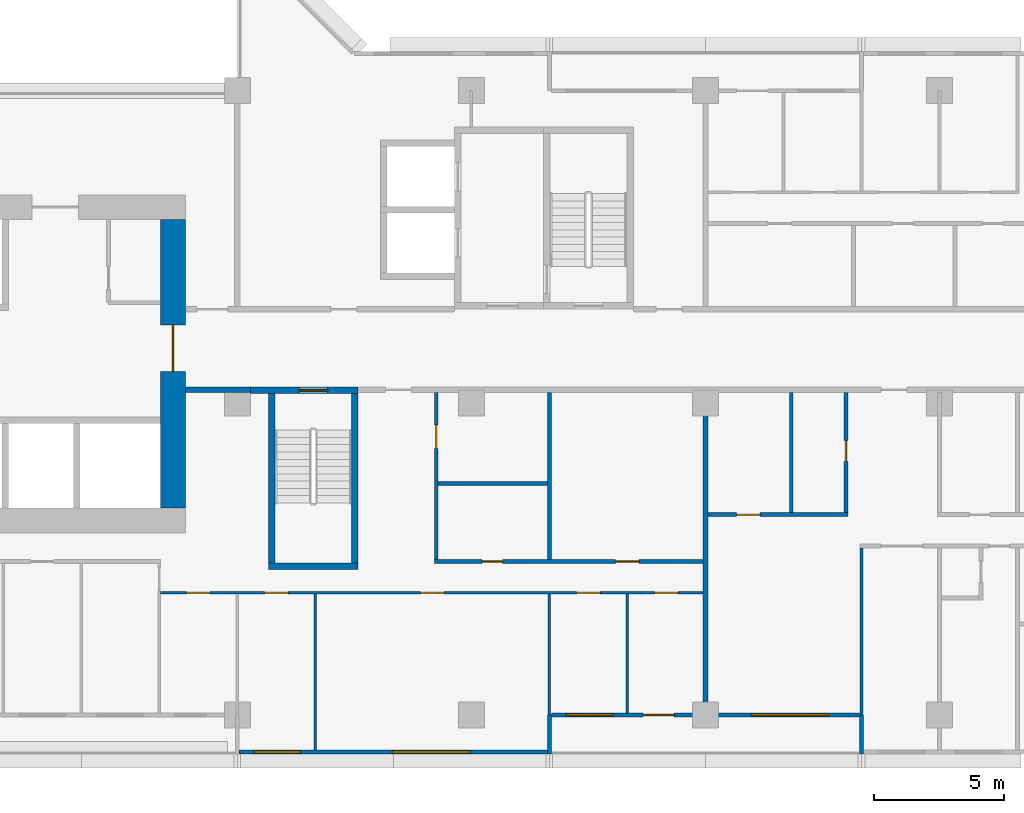
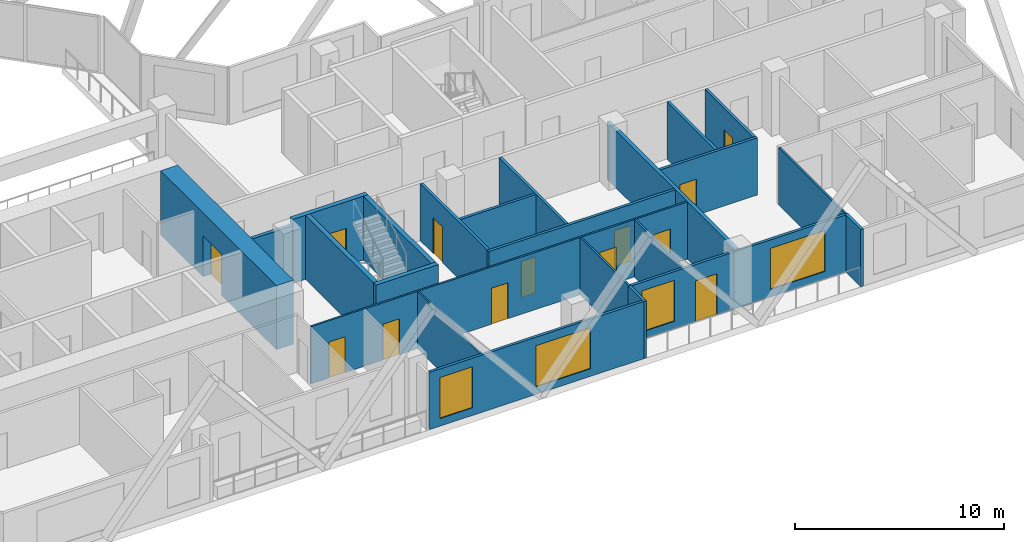
# One storey, part 6 of 15: 23 walls, 13 doors, 4 windows, 17 openings.
"""IFC4 building model written with IfcOpenShell, lengths in metres."""

from ifc_helpers import new_model, si_unit, direction, frame, frame_2d, origin, place, context, subcontext, project, spatial, rectangle, extrude, material, layer, layer_set, type_object, element, fill, save


model = new_model("IFC4")

# Units and contexts
model_context = context("Model", 3, precision=1e-05, world=origin(), true_north=direction((0.0, 1.0)))
body_context = subcontext(model_context, "Body", "Model", "MODEL_VIEW")
ifc_project = project(units=[si_unit("LENGTHUNIT", "METRE"), si_unit("AREAUNIT", "SQUARE_METRE"), si_unit("VOLUMEUNIT", "CUBIC_METRE"), si_unit("PLANEANGLEUNIT", "RADIAN"), si_unit("MASSUNIT", "GRAM", prefix="KILO")], contexts=[model_context])

# Site, building, storey
site_placement = place(None, origin())
site = spatial("IfcSite", under=ifc_project, at=site_placement, CompositionType="ELEMENT")
building_placement = place(site_placement, origin())
building = spatial("IfcBuilding", under=site, at=building_placement, Name="Chenar Terraces", CompositionType="ELEMENT")
storey_placement = place(building_placement, frame((0.0, 0.0, 121.89990234375)))
storey = spatial("IfcBuildingStorey", under=building, at=storey_placement, Name="L28", CompositionType="ELEMENT", Elevation=121.89990234375)

# Wall
ifc_material_1 = material(Name="Concrete C70/85", Category="concrete")
ifc_layer_1 = layer(ifc_material_1, 0.25)
ifc_layer_set_1 = layer_set([ifc_layer_1], Name="Concrete C70/85")
wall_type_1 = type_object("IfcWallType", Name="Core wall 250 Concrete C70/85", PredefinedType="SHEAR", material=ifc_layer_set_1)
wall_1_placement = place(storey_placement, frame((37.199951171875, 5.72509765625, 0.0), z_axis=(0.0, 0.0, 1.0), x_axis=(1.0, 0.0, 0.0)))
element("IfcWall", 1, at=wall_1_placement, inside=storey, type_object=wall_type_1, Name="Core wall ST2_S L28", PredefinedType="SHEAR", context=body_context, shape_type="SweptSolid", body=[
    extrude(rectangle(XDim=3.449951171875, YDim=0.25, at=frame_2d((1.72509765625, 0.0))), origin(), (0.0, 0.0, 1.0), 3.75),
])

# Wall, opening, door
wall_2_placement = place(storey_placement, frame((36.5, 12.47509765625, 0.0), z_axis=(0.0, 0.0, 1.0), x_axis=(1.0, 0.0, 0.0)))
wall_2 = element("IfcWall", 2, at=wall_2_placement, inside=storey, type_object=wall_type_1, Name="Core wall ST2_N L28", PredefinedType="SHEAR", context=body_context, shape_type="SweptSolid", body=[
    extrude(rectangle(XDim=4.14990234375, YDim=0.25, at=frame_2d((2.074951171875, 0.0))), origin(), (0.0, 0.0, 1.0), 3.75),
])
opening_1_placement = place(wall_2_placement, frame((1.875, 0.0, 0.0)))
opening_1 = element("IfcOpeningElement", 3, at=opening_1_placement, cuts=wall_2, Name="Opening DL28-C7", PredefinedType="OPENING", context=body_context, shape_type="SweptSolid", body=[
    extrude(rectangle(XDim=1.10009765625, YDim=2.199951171875, at=frame_2d((0.550048828125, 1.10009765625))), frame((0.0, 0.135009765625, 0.0), z_axis=(0.0, -1.0, 0.0), x_axis=(1.0, 0.0, 0.0)), (0.0, 0.0, 1.0), 0.27001953125),
])
ifc_material_2 = material(Name="Steel-framed fire-resisting door leaf", Category="steel")
door_type_1 = type_object("IfcDoorType", Name="Stair fire door FD60 1100 x 2200", OperationType="SINGLE_SWING_LEFT", PredefinedType="DOOR", material=ifc_material_2)
door_1_placement = place(opening_1_placement, frame((1.10009765625, 0.0, 0.0), z_axis=(0.0, 0.0, 1.0), x_axis=(-1.0, 0.0, 0.0)))
door_1 = element("IfcDoor", 4, at=door_1_placement, inside=storey, type_object=door_type_1, Name="Stair door DL28-C7", OperationType="SINGLE_SWING_RIGHT", OverallHeight=2.199951171875, OverallWidth=1.10009765625, PredefinedType="DOOR", context=body_context, shape_type="SweptSolid", body=[
    extrude(rectangle(XDim=1.10009765625, YDim=2.199951171875, at=frame_2d((0.550048828125, 1.10009765625))), frame((0.0, 0.02490234375, 0.0), z_axis=(0.0, -1.0, 0.0), x_axis=(1.0, 0.0, 0.0)), (0.0, 0.0, 1.0), 0.050048828125),
])
fill(opening_1, door_1)

# Walls
for number, where, z_axis, x_axis, name in (
    (5, (37.324951171875, 5.85009765625, 0.0), (0.0, 0.0, 1.0), (0.0, 1.0, 0.0), "Core wall ST2_W L28"),
    (6, (40.52490234375, 5.85009765625, 0.0), (0.0, 0.0, 1.0), (0.0, 1.0, 0.0), "Core wall ST2_E L28"),
):
    element("IfcWall", number, at=place(storey_placement, frame(where, z_axis=z_axis, x_axis=x_axis)), inside=storey, type_object=wall_type_1, Name=name, PredefinedType="SHEAR", context=body_context, shape_type="SweptSolid", body=[
        extrude(rectangle(XDim=6.5, YDim=0.25, at=frame_2d((3.25, 0.0))), origin(), (0.0, 0.0, 1.0), 3.75),
    ])

# Wall, opening, door
ifc_material_3 = material(Name="Concrete C70/85", Category="concrete")
ifc_layer_2 = layer(ifc_material_3, 0.949951171875)
ifc_layer_set_2 = layer_set([ifc_layer_2], Name="Concrete C70/85")
wall_type_2 = type_object("IfcWallType", Name="Core wall 950 Concrete C70/85", PredefinedType="SHEAR", material=ifc_layer_set_2)
wall_3_placement = place(storey_placement, frame((33.52490234375, 7.949951171875, 0.0), z_axis=(0.0, 0.0, 1.0), x_axis=(0.0, 1.0, 0.0)))
wall_3 = element("IfcWall", 7, at=wall_3_placement, inside=storey, type_object=wall_type_2, Name="Core wall E L28", PredefinedType="SHEAR", context=body_context, shape_type="SweptSolid", body=[
    extrude(rectangle(XDim=11.10009765625, YDim=0.949951171875, at=frame_2d((5.550048828125, 0.0))), origin(), (0.0, 0.0, 1.0), 3.75),
])
opening_2_placement = place(wall_3_placement, frame((5.25, 0.0, 0.0)))
opening_2 = element("IfcOpeningElement", 8, at=opening_2_placement, cuts=wall_3, Name="Opening DL28-C1", PredefinedType="OPENING", context=body_context, shape_type="SweptSolid", body=[
    extrude(rectangle(XDim=1.800048828125, YDim=2.39990234375, at=frame_2d((0.89990234375, 1.199951171875))), frame((0.0, 0.48486328125, 0.0), z_axis=(0.0, -1.0, 0.0), x_axis=(1.0, 0.0, 0.0)), (0.0, 0.0, 1.0), 0.969970703125),
])
ifc_material_4 = material(Name="Steel-framed fire-resisting door leaf", Category="steel")
door_type_2 = type_object("IfcDoorType", Name="Core entrance double fire door FD60 1800 x 2400", OperationType="DOUBLE_DOOR_SINGLE_SWING", PredefinedType="DOOR", material=ifc_material_4)
door_2_placement = place(opening_2_placement, origin())
door_2 = element("IfcDoor", 9, at=door_2_placement, inside=storey, type_object=door_type_2, Name="Core door DL28-C1", OperationType="DOUBLE_DOOR_SINGLE_SWING", OverallHeight=2.39990234375, OverallWidth=1.800048828125, PredefinedType="DOOR", context=body_context, shape_type="SweptSolid", body=[
    extrude(rectangle(XDim=1.800048828125, YDim=2.39990234375, at=frame_2d((0.89990234375, 1.199951171875))), frame((0.0, 0.02490234375, 0.0), z_axis=(0.0, -1.0, 0.0), x_axis=(1.0, 0.0, 0.0)), (0.0, 0.0, 1.0), 0.050048828125),
])
fill(opening_2, door_2)

# Wall
ifc_material_5 = material(Name="Gypsum board on steel studs with fire boards", Category="steel")
ifc_layer_3 = layer(ifc_material_5, 0.199951171875)
ifc_layer_set_3 = layer_set([ifc_layer_3], Name="Gypsum board on steel studs with fire boards")
wall_type_3 = type_object("IfcWallType", Name="Corridor wall 200", PredefinedType="PARTITIONING", material=ifc_layer_set_3)
wall_4_placement = place(storey_placement, frame((34.0, 12.5, 0.0), z_axis=(0.0, 0.0, 1.0), x_axis=(1.0, 0.0, 0.0)))
element("IfcWall", 10, at=wall_4_placement, inside=storey, type_object=wall_type_3, Name="Partition L28-063", PredefinedType="PARTITIONING", context=body_context, shape_type="SweptSolid", body=[
    extrude(rectangle(XDim=2.5009765625, YDim=0.199951171875, at=frame_2d((1.25048828125, 0.0))), origin(), (0.0, 0.0, 1.0), 3.35009765625),
])

# Wall, openings, windows
ifc_material_6 = material(Name="Aluminium framed glazing", Category="aluminium")
ifc_layer_4 = layer(ifc_material_6, 0.14990234375)
ifc_layer_set_4 = layer_set([ifc_layer_4], Name="Aluminium framed glazing")
wall_type_4 = type_object("IfcWallType", Name="Glazed flush facade wall 150", PredefinedType="SOLIDWALL", material=ifc_layer_set_4)
wall_5_placement = place(storey_placement, frame((36.074951171875, -1.425048828125, 0.0), z_axis=(0.0, 0.0, 1.0), x_axis=(1.0, 0.0, 0.0)))
wall_5 = element("IfcWall", 11, at=wall_5_placement, inside=storey, type_object=wall_type_4, Name="Glazed flush facade wall", PredefinedType="SOLIDWALL", context=body_context, shape_type="SweptSolid", body=[
    extrude(rectangle(XDim=11.85009765625, YDim=0.14990234375, at=frame_2d((5.925048828125, 0.0))), origin(), (0.0, 0.0, 1.0), 3.35009765625),
])
opening_3_placement = place(wall_5_placement, frame((0.5625, 0.0, 0.449951171875)))
opening_3 = element("IfcOpeningElement", 12, at=opening_3_placement, cuts=wall_5, Name="Opening W180x240", PredefinedType="OPENING", context=body_context, shape_type="SweptSolid", body=[
    extrude(rectangle(XDim=1.800048828125, YDim=2.39990234375, at=frame_2d((0.89990234375, 1.199951171875))), frame((0.0, 0.0849609375, 0.0), z_axis=(0.0, -1.0, 0.0), x_axis=(1.0, 0.0, 0.0)), (0.0, 0.0, 1.0), 0.169921875),
])
opening_4_placement = place(wall_5_placement, frame((5.887451171875, 0.0, 0.449951171875)))
opening_4 = element("IfcOpeningElement", 13, at=opening_4_placement, cuts=wall_5, Name="Opening W300x240", PredefinedType="OPENING", context=body_context, shape_type="SweptSolid", body=[
    extrude(rectangle(XDim=3.0, YDim=2.39990234375, at=frame_2d((1.5, 1.199951171875))), frame((0.0, 0.0849609375, 0.0), z_axis=(0.0, -1.0, 0.0), x_axis=(1.0, 0.0, 0.0)), (0.0, 0.0, 1.0), 0.169921875),
])
ifc_material_7 = material(Name="Low emissivity double glazing, aluminium frame", Category="aluminium")
window_type_1 = type_object("IfcWindowType", Name="Fixed light 1800 x 2400", PartitioningType="SINGLE_PANEL", PredefinedType="WINDOW", material=ifc_material_7)
window_1_placement = place(opening_3_placement, origin())
window_1 = element("IfcWindow", 14, at=window_1_placement, inside=storey, type_object=window_type_1, Name="Window", OverallHeight=2.39990234375, OverallWidth=1.800048828125, PartitioningType="SINGLE_PANEL", PredefinedType="WINDOW", context=body_context, shape_type="SweptSolid", body=[
    extrude(rectangle(XDim=1.800048828125, YDim=2.39990234375, at=frame_2d((0.89990234375, 1.199951171875))), frame((0.0, 0.030029296875, 0.0), z_axis=(0.0, -1.0, 0.0), x_axis=(1.0, 0.0, 0.0)), (0.0, 0.0, 1.0), 0.06005859375),
])
fill(opening_3, window_1)
ifc_material_8 = material(Name="Low emissivity double glazing, aluminium frame", Category="aluminium")
window_type_2 = type_object("IfcWindowType", Name="Fixed light 3000 x 2400", PartitioningType="SINGLE_PANEL", PredefinedType="WINDOW", material=ifc_material_8)
window_2_placement = place(opening_4_placement, origin())
window_2 = element("IfcWindow", 15, at=window_2_placement, inside=storey, type_object=window_type_2, Name="Window", OverallHeight=2.39990234375, OverallWidth=3.0, PartitioningType="SINGLE_PANEL", PredefinedType="WINDOW", context=body_context, shape_type="SweptSolid", body=[
    extrude(rectangle(XDim=3.0, YDim=2.39990234375, at=frame_2d((1.5, 1.199951171875))), frame((0.0, 0.030029296875, 0.0), z_axis=(0.0, -1.0, 0.0), x_axis=(1.0, 0.0, 0.0)), (0.0, 0.0, 1.0), 0.06005859375),
])
fill(opening_4, window_2)

# Wall, openings, windows, door
ifc_material_9 = material(Name="Aluminium framed glazing", Category="aluminium")
ifc_layer_5 = layer(ifc_material_9, 0.14990234375)
ifc_layer_set_5 = layer_set([ifc_layer_5], Name="Aluminium framed glazing")
wall_type_5 = type_object("IfcWallType", Name="Glazed loggia back wall 150", PredefinedType="SOLIDWALL", material=ifc_layer_set_5)
wall_6_placement = place(storey_placement, frame((48.074951171875, 0.0, 0.0), z_axis=(0.0, 0.0, 1.0), x_axis=(1.0, 0.0, 0.0)))
wall_6 = element("IfcWall", 16, at=wall_6_placement, inside=storey, type_object=wall_type_5, Name="Glazed loggia back wall", PredefinedType="SOLIDWALL", context=body_context, shape_type="SweptSolid", body=[
    extrude(rectangle(XDim=11.85009765625, YDim=0.14990234375, at=frame_2d((5.925048828125, 0.0))), origin(), (0.0, 0.0, 1.0), 3.35009765625),
])
opening_5_placement = place(wall_6_placement, frame((0.5625, 0.0, 0.449951171875)))
opening_5 = element("IfcOpeningElement", 17, at=opening_5_placement, cuts=wall_6, Name="Opening W180x240", PredefinedType="OPENING", context=body_context, shape_type="SweptSolid", body=[
    extrude(rectangle(XDim=1.800048828125, YDim=2.39990234375, at=frame_2d((0.89990234375, 1.199951171875))), frame((0.0, 0.0849609375, 0.0), z_axis=(0.0, -1.0, 0.0), x_axis=(1.0, 0.0, 0.0)), (0.0, 0.0, 1.0), 0.169921875),
])
opening_6_placement = place(wall_6_placement, frame((3.52490234375, 0.0, 0.0)))
opening_6 = element("IfcOpeningElement", 18, at=opening_6_placement, cuts=wall_6, Name="Opening DL28-G7", PredefinedType="OPENING", context=body_context, shape_type="SweptSolid", body=[
    extrude(rectangle(XDim=1.199951171875, YDim=2.39990234375, at=frame_2d((0.60009765625, 1.199951171875))), frame((0.0, 0.0849609375, 0.0), z_axis=(0.0, -1.0, 0.0), x_axis=(1.0, 0.0, 0.0)), (0.0, 0.0, 1.0), 0.169921875),
])
opening_7_placement = place(wall_6_placement, frame((7.6875, 0.0, 0.449951171875)))
opening_7 = element("IfcOpeningElement", 19, at=opening_7_placement, cuts=wall_6, Name="Opening W300x240", PredefinedType="OPENING", context=body_context, shape_type="SweptSolid", body=[
    extrude(rectangle(XDim=3.0, YDim=2.39990234375, at=frame_2d((1.5, 1.199951171875))), frame((0.0, 0.0849609375, 0.0), z_axis=(0.0, -1.0, 0.0), x_axis=(1.0, 0.0, 0.0)), (0.0, 0.0, 1.0), 0.169921875),
])
window_3_placement = place(opening_5_placement, origin())
window_3 = element("IfcWindow", 20, at=window_3_placement, inside=storey, type_object=window_type_1, Name="Window", OverallHeight=2.39990234375, OverallWidth=1.800048828125, PartitioningType="SINGLE_PANEL", PredefinedType="WINDOW", context=body_context, shape_type="SweptSolid", body=[
    extrude(rectangle(XDim=1.800048828125, YDim=2.39990234375, at=frame_2d((0.89990234375, 1.199951171875))), frame((0.0, 0.030029296875, 0.0), z_axis=(0.0, -1.0, 0.0), x_axis=(1.0, 0.0, 0.0)), (0.0, 0.0, 1.0), 0.06005859375),
])
fill(opening_5, window_3)
window_4_placement = place(opening_7_placement, origin())
window_4 = element("IfcWindow", 21, at=window_4_placement, inside=storey, type_object=window_type_2, Name="Window", OverallHeight=2.39990234375, OverallWidth=3.0, PartitioningType="SINGLE_PANEL", PredefinedType="WINDOW", context=body_context, shape_type="SweptSolid", body=[
    extrude(rectangle(XDim=3.0, YDim=2.39990234375, at=frame_2d((1.5, 1.199951171875))), frame((0.0, 0.030029296875, 0.0), z_axis=(0.0, -1.0, 0.0), x_axis=(1.0, 0.0, 0.0)), (0.0, 0.0, 1.0), 0.06005859375),
])
fill(opening_7, window_4)
ifc_material_10 = material(Name="Low emissivity double glazing, aluminium frame", Category="aluminium")
door_type_3 = type_object("IfcDoorType", Name="Loggia glazed double door 1200 x 2400", OperationType="DOUBLE_DOOR_SINGLE_SWING", PredefinedType="DOOR", material=ifc_material_10)
door_3_placement = place(opening_6_placement, frame((1.199951171875, 0.0, 0.0), z_axis=(0.0, 0.0, 1.0), x_axis=(-1.0, 0.0, 0.0)))
door_3 = element("IfcDoor", 22, at=door_3_placement, inside=storey, type_object=door_type_3, Name="Loggia glazed door", OperationType="DOUBLE_DOOR_SINGLE_SWING", OverallHeight=2.39990234375, OverallWidth=1.199951171875, PredefinedType="DOOR", context=body_context, shape_type="SweptSolid", body=[
    extrude(rectangle(XDim=1.199951171875, YDim=2.39990234375, at=frame_2d((0.60009765625, 1.199951171875))), frame((0.0, 0.02490234375, 0.0), z_axis=(0.0, -1.0, 0.0), x_axis=(1.0, 0.0, 0.0)), (0.0, 0.0, 1.0), 0.050048828125),
])
fill(opening_6, door_3)

# Wall, openings, doors
ifc_material_11 = material(Name="Gypsum board on steel studs", Category="steel")
ifc_layer_6 = layer(ifc_material_11, 0.10009765625)
ifc_layer_set_6 = layer_set([ifc_layer_6], Name="Gypsum board on steel studs")
wall_type_6 = type_object("IfcWallType", Name="Gypsum partition 100", PredefinedType="PARTITIONING", material=ifc_layer_set_6)
wall_7_placement = place(storey_placement, frame((33.050048828125, 4.699951171875, 0.0), z_axis=(0.0, 0.0, 1.0), x_axis=(1.0, 0.0, 0.0)))
wall_7 = element("IfcWall", 23, at=wall_7_placement, inside=storey, type_object=wall_type_6, Name="Partition L28-062", PredefinedType="PARTITIONING", context=body_context, shape_type="SweptSolid", body=[
    extrude(rectangle(XDim=20.849853515625, YDim=0.10009765625, at=frame_2d((10.4248046875, 0.0))), origin(), (0.0, 0.0, 1.0), 3.35009765625),
])
opening_8_placement = place(wall_7_placement, frame((1.0, 0.0, 0.0)))
opening_8 = element("IfcOpeningElement", 24, at=opening_8_placement, cuts=wall_7, Name="Opening DL28-57", PredefinedType="OPENING", context=body_context, shape_type="SweptSolid", body=[
    extrude(rectangle(XDim=0.89990234375, YDim=2.10009765625, at=frame_2d((0.449951171875, 1.050048828125))), frame((0.0, 0.06005859375, 0.0), z_axis=(0.0, -1.0, 0.0), x_axis=(1.0, 0.0, 0.0)), (0.0, 0.0, 1.0), 0.1201171875),
])
opening_9_placement = place(wall_7_placement, frame((4.0, 0.0, 0.0)))
opening_9 = element("IfcOpeningElement", 25, at=opening_9_placement, cuts=wall_7, Name="Opening DL28-58", PredefinedType="OPENING", context=body_context, shape_type="SweptSolid", body=[
    extrude(rectangle(XDim=0.89990234375, YDim=2.10009765625, at=frame_2d((0.449951171875, 1.050048828125))), frame((0.0, 0.06005859375, 0.0), z_axis=(0.0, -1.0, 0.0), x_axis=(1.0, 0.0, 0.0)), (0.0, 0.0, 1.0), 0.1201171875),
])
opening_10_placement = place(wall_7_placement, frame((16.0, 0.0, 0.0)))
opening_10 = element("IfcOpeningElement", 26, at=opening_10_placement, cuts=wall_7, Name="Opening DL28-59", PredefinedType="OPENING", context=body_context, shape_type="SweptSolid", body=[
    extrude(rectangle(XDim=0.89990234375, YDim=2.10009765625, at=frame_2d((0.449951171875, 1.050048828125))), frame((0.0, 0.06005859375, 0.0), z_axis=(0.0, -1.0, 0.0), x_axis=(1.0, 0.0, 0.0)), (0.0, 0.0, 1.0), 0.1201171875),
])
opening_11_placement = place(wall_7_placement, frame((19.0, 0.0, 0.0)))
opening_11 = element("IfcOpeningElement", 27, at=opening_11_placement, cuts=wall_7, Name="Opening DL28-60", PredefinedType="OPENING", context=body_context, shape_type="SweptSolid", body=[
    extrude(rectangle(XDim=0.89990234375, YDim=2.10009765625, at=frame_2d((0.449951171875, 1.050048828125))), frame((0.0, 0.06005859375, 0.0), z_axis=(0.0, -1.0, 0.0), x_axis=(1.0, 0.0, 0.0)), (0.0, 0.0, 1.0), 0.1201171875),
])
opening_12_placement = place(wall_7_placement, frame((10.0, 0.0, 0.0)))
opening_12 = element("IfcOpeningElement", 28, at=opening_12_placement, cuts=wall_7, Name="Opening DL28-69", PredefinedType="OPENING", context=body_context, shape_type="SweptSolid", body=[
    extrude(rectangle(XDim=0.89990234375, YDim=2.10009765625, at=frame_2d((0.449951171875, 1.050048828125))), frame((0.0, 0.06005859375, 0.0), z_axis=(0.0, -1.0, 0.0), x_axis=(1.0, 0.0, 0.0)), (0.0, 0.0, 1.0), 0.1201171875),
])
ifc_material_12 = material(Name="Veneered timber door leaf", Category="wood")
door_type_4 = type_object("IfcDoorType", Name="Door 900 x 2100", OperationType="SINGLE_SWING_LEFT", PredefinedType="DOOR", material=ifc_material_12)
door_4_placement = place(opening_8_placement, frame((0.89990234375, 0.0, 0.0), z_axis=(0.0, 0.0, 1.0), x_axis=(-1.0, 0.0, 0.0)))
door_4 = element("IfcDoor", 29, at=door_4_placement, inside=storey, type_object=door_type_4, Name="Door DL28-57", OperationType="SINGLE_SWING_LEFT", OverallHeight=2.10009765625, OverallWidth=0.89990234375, PredefinedType="DOOR", context=body_context, shape_type="SweptSolid", body=[
    extrude(rectangle(XDim=0.89990234375, YDim=2.10009765625, at=frame_2d((0.449951171875, 1.050048828125))), frame((0.0, 0.02490234375, 0.0), z_axis=(0.0, -1.0, 0.0), x_axis=(1.0, 0.0, 0.0)), (0.0, 0.0, 1.0), 0.050048828125),
])
fill(opening_8, door_4)
door_5_placement = place(opening_9_placement, frame((0.89990234375, 0.0, 0.0), z_axis=(0.0, 0.0, 1.0), x_axis=(-1.0, 0.0, 0.0)))
door_5 = element("IfcDoor", 30, at=door_5_placement, inside=storey, type_object=door_type_4, Name="Door DL28-58", OperationType="SINGLE_SWING_LEFT", OverallHeight=2.10009765625, OverallWidth=0.89990234375, PredefinedType="DOOR", context=body_context, shape_type="SweptSolid", body=[
    extrude(rectangle(XDim=0.89990234375, YDim=2.10009765625, at=frame_2d((0.449951171875, 1.050048828125))), frame((0.0, 0.02490234375, 0.0), z_axis=(0.0, -1.0, 0.0), x_axis=(1.0, 0.0, 0.0)), (0.0, 0.0, 1.0), 0.050048828125),
])
fill(opening_9, door_5)
door_6_placement = place(opening_10_placement, frame((0.89990234375, 0.0, 0.0), z_axis=(0.0, 0.0, 1.0), x_axis=(-1.0, 0.0, 0.0)))
door_6 = element("IfcDoor", 31, at=door_6_placement, inside=storey, type_object=door_type_4, Name="Door DL28-59", OperationType="SINGLE_SWING_LEFT", OverallHeight=2.10009765625, OverallWidth=0.89990234375, PredefinedType="DOOR", context=body_context, shape_type="SweptSolid", body=[
    extrude(rectangle(XDim=0.89990234375, YDim=2.10009765625, at=frame_2d((0.449951171875, 1.050048828125))), frame((0.0, 0.02490234375, 0.0), z_axis=(0.0, -1.0, 0.0), x_axis=(1.0, 0.0, 0.0)), (0.0, 0.0, 1.0), 0.050048828125),
])
fill(opening_10, door_6)
door_7_placement = place(opening_11_placement, frame((0.89990234375, 0.0, 0.0), z_axis=(0.0, 0.0, 1.0), x_axis=(-1.0, 0.0, 0.0)))
door_7 = element("IfcDoor", 32, at=door_7_placement, inside=storey, type_object=door_type_4, Name="Door DL28-60", OperationType="SINGLE_SWING_LEFT", OverallHeight=2.10009765625, OverallWidth=0.89990234375, PredefinedType="DOOR", context=body_context, shape_type="SweptSolid", body=[
    extrude(rectangle(XDim=0.89990234375, YDim=2.10009765625, at=frame_2d((0.449951171875, 1.050048828125))), frame((0.0, 0.02490234375, 0.0), z_axis=(0.0, -1.0, 0.0), x_axis=(1.0, 0.0, 0.0)), (0.0, 0.0, 1.0), 0.050048828125),
])
fill(opening_11, door_7)
door_8_placement = place(opening_12_placement, frame((0.89990234375, 0.0, 0.0), z_axis=(0.0, 0.0, 1.0), x_axis=(-1.0, 0.0, 0.0)))
door_8 = element("IfcDoor", 33, at=door_8_placement, inside=storey, type_object=door_type_4, Name="Door DL28-69", OperationType="SINGLE_SWING_LEFT", OverallHeight=2.10009765625, OverallWidth=0.89990234375, PredefinedType="DOOR", context=body_context, shape_type="SweptSolid", body=[
    extrude(rectangle(XDim=0.89990234375, YDim=2.10009765625, at=frame_2d((0.449951171875, 1.050048828125))), frame((0.0, 0.02490234375, 0.0), z_axis=(0.0, -1.0, 0.0), x_axis=(1.0, 0.0, 0.0)), (0.0, 0.0, 1.0), 0.050048828125),
])
fill(opening_12, door_8)

# Walls
wall_8_placement = place(storey_placement, frame((39.0, -1.35009765625, 0.0), z_axis=(0.0, 0.0, 1.0), x_axis=(0.0, 1.0, 0.0)))
element("IfcWall", 34, at=wall_8_placement, inside=storey, type_object=wall_type_6, Name="Partition L28-067", PredefinedType="PARTITIONING", context=body_context, shape_type="SweptSolid", body=[
    extrude(rectangle(XDim=6.0, YDim=0.10009765625, at=frame_2d((3.0, 0.0))), origin(), (0.0, 0.0, 1.0), 3.35009765625),
])
wall_9_placement = place(storey_placement, frame((48.0, 0.0, 0.0), z_axis=(0.0, 0.0, 1.0), x_axis=(0.0, 1.0, 0.0)))
element("IfcWall", 35, at=wall_9_placement, inside=storey, type_object=wall_type_6, Name="Partition L28-073", PredefinedType="PARTITIONING", context=body_context, shape_type="SweptSolid", body=[
    extrude(rectangle(XDim=4.64990234375, YDim=0.10009765625, at=frame_2d((2.324951171875, 0.0))), origin(), (0.0, 0.0, 1.0), 3.35009765625),
])
wall_10_placement = place(storey_placement, frame((51.0, 0.073974609375, 0.0), z_axis=(0.0, 0.0, 1.0), x_axis=(0.0, 1.0, 0.0)))
element("IfcWall", 36, at=wall_10_placement, inside=storey, type_object=wall_type_6, Name="Partition L28-075", PredefinedType="PARTITIONING", context=body_context, shape_type="SweptSolid", body=[
    extrude(rectangle(XDim=4.575927734375, YDim=0.10009765625, at=frame_2d((2.2880859375, 0.0))), origin(), (0.0, 0.0, 1.0), 3.35009765625),
])
wall_11_placement = place(storey_placement, frame((60.0, 0.0, 0.0), z_axis=(0.0, 0.0, 1.0), x_axis=(0.0, 1.0, 0.0)))
element("IfcWall", 37, at=wall_11_placement, inside=storey, type_object=wall_type_6, Name="Partition L28-087", PredefinedType="PARTITIONING", context=body_context, shape_type="SweptSolid", body=[
    extrude(rectangle(XDim=6.425048828125, YDim=0.10009765625, at=frame_2d((3.21240234375, 0.0))), origin(), (0.0, 0.0, 1.0), 3.35009765625),
])
ifc_material_13 = material(Name="Terracotta cladding on insulated backing", Category="masonry")
ifc_layer_7 = layer(ifc_material_13, 0.14990234375)
ifc_layer_set_7 = layer_set([ifc_layer_7], Name="Terracotta cladding on insulated backing")
wall_type_7 = type_object("IfcWallType", Name="Loggia return wall 150", PredefinedType="SOLIDWALL", material=ifc_layer_set_7)
for number, where, z_axis, x_axis, name in (
    (38, (48.0, -1.5, 0.0), (0.0, 0.0, 1.0), (0.0, 1.0, 0.0), "Loggia return wall"),
    (39, (60.0, -1.5, 0.0), (0.0, 0.0, 1.0), (0.0, 1.0, 0.0), "Loggia return wall"),
):
    element("IfcWall", number, at=place(storey_placement, frame(where, z_axis=z_axis, x_axis=x_axis)), inside=storey, type_object=wall_type_7, Name=name, PredefinedType="SOLIDWALL", context=body_context, shape_type="SweptSolid", body=[
        extrude(rectangle(XDim=1.5, YDim=0.14990234375, at=frame_2d((0.75, 0.0))), origin(), (0.0, 0.0, 1.0), 3.35009765625),
    ])
ifc_material_14 = material(Name="Twin gypsum board on steel studs with mineral wool", Category="steel")
ifc_layer_8 = layer(ifc_material_14, 0.199951171875)
ifc_layer_set_8 = layer_set([ifc_layer_8], Name="Twin gypsum board on steel studs with mineral wool")
wall_type_8 = type_object("IfcWallType", Name="Unit demising wall 200", PredefinedType="PARTITIONING", material=ifc_layer_set_8)
wall_12_placement = place(storey_placement, frame((54.0, 0.073974609375, 0.0), z_axis=(0.0, 0.0, 1.0), x_axis=(0.0, 1.0, 0.0)))
element("IfcWall", 40, at=wall_12_placement, inside=storey, type_object=wall_type_8, Name="Partition L28-077", PredefinedType="PARTITIONING", context=body_context, shape_type="SweptSolid", body=[
    extrude(rectangle(XDim=12.325927734375, YDim=0.199951171875, at=frame_2d((6.1630859375, 0.0))), origin(), (0.0, 0.0, 1.0), 3.35009765625),
])

# Wall, openings, doors
ifc_material_15 = material(Name="Moisture-resistant gypsum board on steel studs", Category="steel")
ifc_layer_9 = layer(ifc_material_15, 0.14990234375)
ifc_layer_set_9 = layer_set([ifc_layer_9], Name="Moisture-resistant gypsum board on steel studs")
wall_type_9 = type_object("IfcWallType", Name="Wet-room partition 150", PredefinedType="PARTITIONING", material=ifc_layer_set_9)
wall_13_placement = place(storey_placement, frame((43.574951171875, 5.89990234375, 0.0), z_axis=(0.0, 0.0, 1.0), x_axis=(1.0, 0.0, 0.0)))
wall_13 = element("IfcWall", 41, at=wall_13_placement, inside=storey, type_object=wall_type_9, Name="Partition L28-069", PredefinedType="PARTITIONING", context=body_context, shape_type="SweptSolid", body=[
    extrude(rectangle(XDim=10.324951171875, YDim=0.14990234375, at=frame_2d((5.16259765625, 0.0))), origin(), (0.0, 0.0, 1.0), 3.35009765625),
])
opening_13_placement = place(wall_13_placement, frame((1.824951171875, 0.0, 0.0)))
opening_13 = element("IfcOpeningElement", 42, at=opening_13_placement, cuts=wall_13, Name="Opening DL28-54", PredefinedType="OPENING", context=body_context, shape_type="SweptSolid", body=[
    extrude(rectangle(XDim=0.800048828125, YDim=2.10009765625, at=frame_2d((0.39990234375, 1.050048828125))), frame((0.0, 0.0849609375, 0.0), z_axis=(0.0, -1.0, 0.0), x_axis=(1.0, 0.0, 0.0)), (0.0, 0.0, 1.0), 0.169921875),
])
opening_14_placement = place(wall_13_placement, frame((6.97509765625, 0.0, 0.0)))
opening_14 = element("IfcOpeningElement", 43, at=opening_14_placement, cuts=wall_13, Name="Opening DL28-65", PredefinedType="OPENING", context=body_context, shape_type="SweptSolid", body=[
    extrude(rectangle(XDim=0.89990234375, YDim=2.10009765625, at=frame_2d((0.449951171875, 1.050048828125))), frame((0.0, 0.0849609375, 0.0), z_axis=(0.0, -1.0, 0.0), x_axis=(1.0, 0.0, 0.0)), (0.0, 0.0, 1.0), 0.169921875),
])
ifc_material_16 = material(Name="Veneered timber door leaf", Category="wood")
door_type_5 = type_object("IfcDoorType", Name="Door 800 x 2100", OperationType="SINGLE_SWING_LEFT", PredefinedType="DOOR", material=ifc_material_16)
door_9_placement = place(opening_13_placement, origin())
door_9 = element("IfcDoor", 44, at=door_9_placement, inside=storey, type_object=door_type_5, Name="Door DL28-54", OperationType="SINGLE_SWING_RIGHT", OverallHeight=2.10009765625, OverallWidth=0.800048828125, PredefinedType="DOOR", context=body_context, shape_type="SweptSolid", body=[
    extrude(rectangle(XDim=0.800048828125, YDim=2.10009765625, at=frame_2d((0.39990234375, 1.050048828125))), frame((0.0, 0.02490234375, 0.0), z_axis=(0.0, -1.0, 0.0), x_axis=(1.0, 0.0, 0.0)), (0.0, 0.0, 1.0), 0.050048828125),
])
fill(opening_13, door_9)
door_10_placement = place(opening_14_placement, origin())
door_10 = element("IfcDoor", 45, at=door_10_placement, inside=storey, type_object=door_type_4, Name="Door DL28-65", OperationType="SINGLE_SWING_RIGHT", OverallHeight=2.10009765625, OverallWidth=0.89990234375, PredefinedType="DOOR", context=body_context, shape_type="SweptSolid", body=[
    extrude(rectangle(XDim=0.89990234375, YDim=2.10009765625, at=frame_2d((0.449951171875, 1.050048828125))), frame((0.0, 0.02490234375, 0.0), z_axis=(0.0, -1.0, 0.0), x_axis=(1.0, 0.0, 0.0)), (0.0, 0.0, 1.0), 0.050048828125),
])
fill(opening_14, door_10)

# Wall, opening, door
wall_14_placement = place(storey_placement, frame((43.64990234375, 5.97509765625, 0.0), z_axis=(0.0, 0.0, 1.0), x_axis=(0.0, 1.0, 0.0)))
wall_14 = element("IfcWall", 46, at=wall_14_placement, inside=storey, type_object=wall_type_9, Name="Partition L28-070", PredefinedType="PARTITIONING", context=body_context, shape_type="SweptSolid", body=[
    extrude(rectangle(XDim=6.4248046875, YDim=0.14990234375, at=frame_2d((3.21240234375, 0.0))), origin(), (0.0, 0.0, 1.0), 3.35009765625),
])
opening_15_placement = place(wall_14_placement, frame((4.27490234375, 0.0, 0.0)))
opening_15 = element("IfcOpeningElement", 47, at=opening_15_placement, cuts=wall_14, Name="Opening DL28-67", PredefinedType="OPENING", context=body_context, shape_type="SweptSolid", body=[
    extrude(rectangle(XDim=0.89990234375, YDim=2.10009765625, at=frame_2d((0.449951171875, 1.050048828125))), frame((0.0, 0.0849609375, 0.0), z_axis=(0.0, -1.0, 0.0), x_axis=(1.0, 0.0, 0.0)), (0.0, 0.0, 1.0), 0.169921875),
])
door_11_placement = place(opening_15_placement, frame((0.89990234375, 0.0, 0.0), z_axis=(0.0, 0.0, 1.0), x_axis=(-1.0, 0.0, 0.0)))
door_11 = element("IfcDoor", 48, at=door_11_placement, inside=storey, type_object=door_type_4, Name="Door DL28-67", OperationType="SINGLE_SWING_RIGHT", OverallHeight=2.10009765625, OverallWidth=0.89990234375, PredefinedType="DOOR", context=body_context, shape_type="SweptSolid", body=[
    extrude(rectangle(XDim=0.89990234375, YDim=2.10009765625, at=frame_2d((0.449951171875, 1.050048828125))), frame((0.0, 0.02490234375, 0.0), z_axis=(0.0, -1.0, 0.0), x_axis=(1.0, 0.0, 0.0)), (0.0, 0.0, 1.0), 0.050048828125),
])
fill(opening_15, door_11)

# Walls
wall_15_placement = place(storey_placement, frame((43.72509765625, 8.89990234375, 0.0), z_axis=(0.0, 0.0, 1.0), x_axis=(1.0, 0.0, 0.0)))
element("IfcWall", 49, at=wall_15_placement, inside=storey, type_object=wall_type_9, Name="Partition L28-071", PredefinedType="PARTITIONING", context=body_context, shape_type="SweptSolid", body=[
    extrude(rectangle(XDim=4.199951171875, YDim=0.14990234375, at=frame_2d((2.10009765625, 0.0))), origin(), (0.0, 0.0, 1.0), 3.35009765625),
])
wall_16_placement = place(storey_placement, frame((48.0, 5.97509765625, 0.0), z_axis=(0.0, 0.0, 1.0), x_axis=(0.0, 1.0, 0.0)))
element("IfcWall", 50, at=wall_16_placement, inside=storey, type_object=wall_type_9, Name="Partition L28-074", PredefinedType="PARTITIONING", context=body_context, shape_type="SweptSolid", body=[
    extrude(rectangle(XDim=6.4248046875, YDim=0.14990234375, at=frame_2d((3.21240234375, 0.0))), origin(), (0.0, 0.0, 1.0), 3.35009765625),
])

# Wall, opening, door
wall_17_placement = place(storey_placement, frame((54.10009765625, 7.699951171875, 0.0), z_axis=(0.0, 0.0, 1.0), x_axis=(1.0, 0.0, 0.0)))
wall_17 = element("IfcWall", 51, at=wall_17_placement, inside=storey, type_object=wall_type_9, Name="Partition L28-079", PredefinedType="PARTITIONING", context=body_context, shape_type="SweptSolid", body=[
    extrude(rectangle(XDim=5.375, YDim=0.14990234375, at=frame_2d((2.6875, 0.0))), origin(), (0.0, 0.0, 1.0), 3.35009765625),
])
opening_16_placement = place(wall_17_placement, frame((1.10009765625, 0.0, 0.0)))
opening_16 = element("IfcOpeningElement", 52, at=opening_16_placement, cuts=wall_17, Name="Opening DL28-21", PredefinedType="OPENING", context=body_context, shape_type="SweptSolid", body=[
    extrude(rectangle(XDim=0.89990234375, YDim=2.10009765625, at=frame_2d((0.449951171875, 1.050048828125))), frame((0.0, 0.0849609375, 0.0), z_axis=(0.0, -1.0, 0.0), x_axis=(1.0, 0.0, 0.0)), (0.0, 0.0, 1.0), 0.169921875),
])
door_12_placement = place(opening_16_placement, origin())
door_12 = element("IfcDoor", 53, at=door_12_placement, inside=storey, type_object=door_type_4, Name="Door DL28-21", OperationType="SINGLE_SWING_LEFT", OverallHeight=2.10009765625, OverallWidth=0.89990234375, PredefinedType="DOOR", context=body_context, shape_type="SweptSolid", body=[
    extrude(rectangle(XDim=0.89990234375, YDim=2.10009765625, at=frame_2d((0.449951171875, 1.050048828125))), frame((0.0, 0.02490234375, 0.0), z_axis=(0.0, -1.0, 0.0), x_axis=(1.0, 0.0, 0.0)), (0.0, 0.0, 1.0), 0.050048828125),
])
fill(opening_16, door_12)

# Wall
wall_18_placement = place(storey_placement, frame((57.300048828125, 7.77490234375, 0.0), z_axis=(0.0, 0.0, 1.0), x_axis=(0.0, 1.0, 0.0)))
element("IfcWall", 54, at=wall_18_placement, inside=storey, type_object=wall_type_9, Name="Partition L28-083", PredefinedType="PARTITIONING", context=body_context, shape_type="SweptSolid", body=[
    extrude(rectangle(XDim=4.625, YDim=0.14990234375, at=frame_2d((2.3125, 0.0))), origin(), (0.0, 0.0, 1.0), 3.35009765625),
])

# Wall, opening, door
wall_19_placement = place(storey_placement, frame((59.39990234375, 7.77490234375, 0.0), z_axis=(0.0, 0.0, 1.0), x_axis=(0.0, 1.0, 0.0)))
wall_19 = element("IfcWall", 55, at=wall_19_placement, inside=storey, type_object=wall_type_9, Name="Partition L28-084", PredefinedType="PARTITIONING", context=body_context, shape_type="SweptSolid", body=[
    extrude(rectangle(XDim=4.625, YDim=0.14990234375, at=frame_2d((2.3125, 0.0))), origin(), (0.0, 0.0, 1.0), 3.35009765625),
])
opening_17_placement = place(wall_19_placement, frame((1.97509765625, 0.0, 0.0)))
opening_17 = element("IfcOpeningElement", 56, at=opening_17_placement, cuts=wall_19, Name="Opening DL28-13", PredefinedType="OPENING", context=body_context, shape_type="SweptSolid", body=[
    extrude(rectangle(XDim=0.800048828125, YDim=2.10009765625, at=frame_2d((0.39990234375, 1.050048828125))), frame((0.0, 0.0849609375, 0.0), z_axis=(0.0, -1.0, 0.0), x_axis=(1.0, 0.0, 0.0)), (0.0, 0.0, 1.0), 0.169921875),
])
door_13_placement = place(opening_17_placement, origin())
door_13 = element("IfcDoor", 57, at=door_13_placement, inside=storey, type_object=door_type_5, Name="Door DL28-13", OperationType="SINGLE_SWING_RIGHT", OverallHeight=2.10009765625, OverallWidth=0.800048828125, PredefinedType="DOOR", context=body_context, shape_type="SweptSolid", body=[
    extrude(rectangle(XDim=0.800048828125, YDim=2.10009765625, at=frame_2d((0.39990234375, 1.050048828125))), frame((0.0, 0.02490234375, 0.0), z_axis=(0.0, -1.0, 0.0), x_axis=(1.0, 0.0, 0.0)), (0.0, 0.0, 1.0), 0.050048828125),
])
fill(opening_17, door_13)

save(model, "model.ifc")
